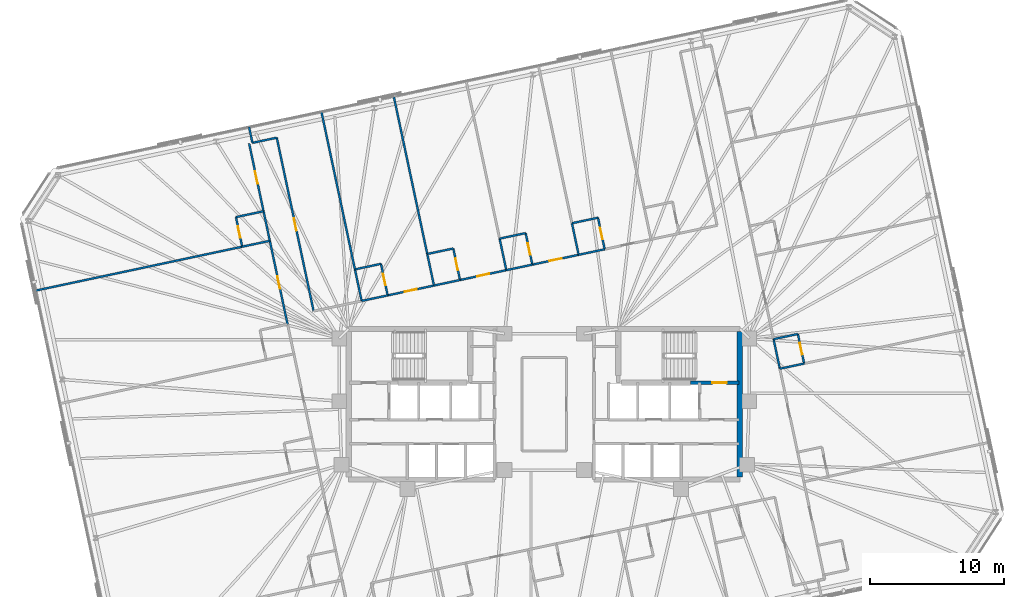
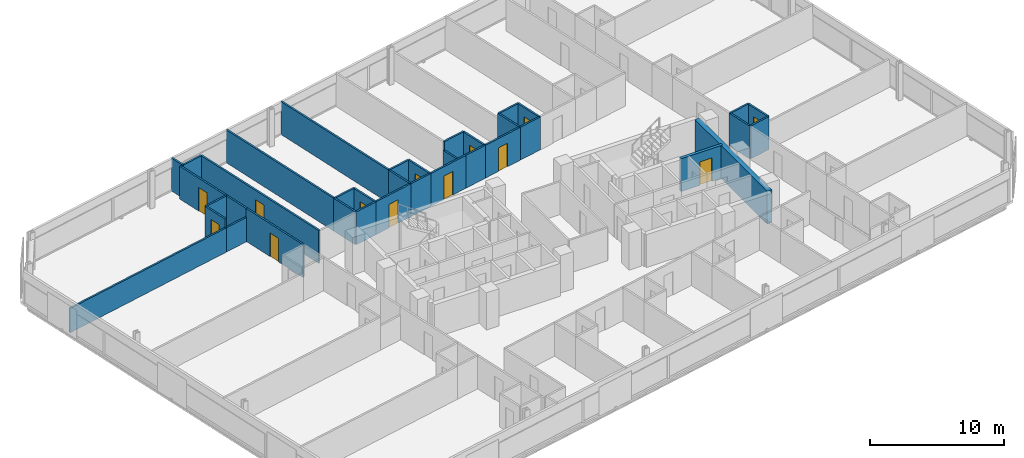
# One storey, part 17 of 20: 37 walls, 13 doors, 13 openings.
"""IFC4 building model written with IfcOpenShell, lengths in metres."""

from ifc_helpers import new_model, si_unit, direction, frame, frame_2d, origin, place, context, subcontext, project, spatial, rectangle, extrude, material, layer, layer_set, type_object, element, fill, save


model = new_model("IFC4")

# Units and contexts
model_context = context("Model", 3, precision=1e-05, world=origin(), true_north=direction((0.0, 1.0)))
body_context = subcontext(model_context, "Body", "Model", "MODEL_VIEW")
ifc_project = project(units=[si_unit("LENGTHUNIT", "METRE"), si_unit("AREAUNIT", "SQUARE_METRE"), si_unit("VOLUMEUNIT", "CUBIC_METRE"), si_unit("PLANEANGLEUNIT", "RADIAN"), si_unit("MASSUNIT", "GRAM", prefix="KILO")], contexts=[model_context])

# Site, building, storey
site_placement = place(None, origin())
site = spatial("IfcSite", under=ifc_project, at=site_placement, CompositionType="ELEMENT")
building_placement = place(site_placement, origin())
building = spatial("IfcBuilding", under=site, at=building_placement, Name="Menara Jurai Vektor", CompositionType="ELEMENT")
storey_placement = place(building_placement, frame((0.0, 0.0, 199.0)))
storey = spatial("IfcBuildingStorey", under=building, at=storey_placement, Name="L52", CompositionType="ELEMENT", Elevation=199.0)

# Wall, opening, door
ifc_material_1 = material(Name="Concrete C40/50", Category="concrete")
ifc_layer_1 = layer(ifc_material_1, 0.25)
ifc_layer_set_1 = layer_set([ifc_layer_1], Name="Concrete C40/50")
wall_type_1 = type_object("IfcWallType", Name="INT-WALL-CORE-250", PredefinedType="STANDARD", material=ifc_layer_set_1)
wall_1_placement = place(storey_placement, frame((10.89990234375, 1.60009765625, 0.0), z_axis=(0.0, 0.0, 1.0), x_axis=(1.0, 0.0, 0.0)))
wall_1 = element("IfcWall", 1, at=wall_1_placement, inside=storey, type_object=wall_type_1, Name="Interior Wall IW-250 L52", PredefinedType="STANDARD", context=body_context, shape_type="SweptSolid", body=[
    extrude(rectangle(XDim=3.60009765625, YDim=0.25, at=frame_2d((1.800048828125, 0.0))), origin(), (0.0, 0.0, 1.0), 3.0),
])
opening_1_placement = place(wall_1_placement, frame((1.6201171875, 0.0, 0.0)))
opening_1 = element("IfcOpeningElement", 2, at=opening_1_placement, cuts=wall_1, Name="Opening D-L52-ST2", PredefinedType="OPENING", context=body_context, shape_type="SweptSolid", body=[
    extrude(rectangle(XDim=1.050048828125, YDim=2.14990234375, at=frame_2d((0.52490234375, 1.074951171875))), frame((0.0, 0.135009765625, 0.0), z_axis=(0.0, -1.0, 0.0), x_axis=(1.0, 0.0, 0.0)), (0.0, 0.0, 1.0), 0.27001953125),
])
ifc_material_2 = material(Name="Fire-Rated Steel Door", Category="steel")
door_type_1 = type_object("IfcDoorType", Name="DR-STAIR-1050", OperationType="NOTDEFINED", PredefinedType="DOOR", material=ifc_material_2)
door_1_placement = place(opening_1_placement, origin())
door_1 = element("IfcDoor", 3, at=door_1_placement, inside=storey, type_object=door_type_1, Name="Exit Stair ST2 Door L52", OperationType="SINGLE_SWING_LEFT", OverallHeight=2.14990234375, OverallWidth=1.050048828125, PredefinedType="DOOR", context=body_context, shape_type="SweptSolid", body=[
    extrude(rectangle(XDim=1.050048828125, YDim=2.14990234375, at=frame_2d((0.52490234375, 1.074951171875))), frame((0.0, 0.02490234375, 0.0), z_axis=(0.0, -1.0, 0.0), x_axis=(1.0, 0.0, 0.0)), (0.0, 0.0, 1.0), 0.050048828125),
])
fill(opening_1, door_1)

# Wall
ifc_material_3 = material(Name="Gypsum Fireboard Partition", Category="gypsum")
ifc_layer_2 = layer(ifc_material_3, 0.14990234375)
ifc_layer_set_2 = layer_set([ifc_layer_2], Name="Gypsum Fireboard Partition")
wall_type_2 = type_object("IfcWallType", Name="INT-WALL-CORR-150", PredefinedType="PARTITIONING", material=ifc_layer_set_2)
wall_2_placement = place(storey_placement, frame((-21.71533203125, 19.447998046875, 0.0), z_axis=(0.0, 0.0, 1.0), x_axis=(0.978160192495, 0.207852442415, 0.0)))
element("IfcWall", 4, at=wall_2_placement, inside=storey, type_object=wall_type_2, Name="Interior Wall IW-150 L52", PredefinedType="PARTITIONING", context=body_context, shape_type="SweptSolid", body=[
    extrude(rectangle(XDim=1.849853515625, YDim=0.14990234375, at=frame_2d((0.9248046875, 0.0))), origin(), (0.0, 0.0, 1.0), 3.0),
])

# Wall, opening, door
wall_3_placement = place(storey_placement, frame((-17.162353515625, 6.92578125, 0.0), z_axis=(0.0, 0.0, 1.0), x_axis=(-0.207911421929, 0.978147657888, 0.0)))
wall_3 = element("IfcWall", 5, at=wall_3_placement, inside=storey, type_object=wall_type_2, Name="Interior Wall IW-150 L52", PredefinedType="PARTITIONING", context=body_context, shape_type="SweptSolid", body=[
    extrude(rectangle(XDim=13.195068359375, YDim=0.14990234375, at=frame_2d((6.59765625, 0.0))), origin(), (0.0, 0.0, 1.0), 3.0),
])
opening_2_placement = place(wall_3_placement, frame((6.137451171875, 0.0, 0.0)))
opening_2 = element("IfcOpeningElement", 6, at=opening_2_placement, cuts=wall_3, Name="Opening D52-07", PredefinedType="OPENING", context=body_context, shape_type="SweptSolid", body=[
    extrude(rectangle(XDim=0.919921875, YDim=2.14990234375, at=frame_2d((0.4599609375, 1.074951171875))), frame((0.0, 0.0849609375, 0.0), z_axis=(0.0, -1.0, 0.0), x_axis=(1.0, 0.0, 0.0)), (0.0, 0.0, 1.0), 0.169921875),
])
ifc_material_4 = material(Name="Solid Core Timber Fire Door", Category="wood")
door_type_2 = type_object("IfcDoorType", Name="DR-ENTRY-950", OperationType="NOTDEFINED", PredefinedType="DOOR", material=ifc_material_4)
door_2_placement = place(opening_2_placement, origin())
door_2 = element("IfcDoor", 7, at=door_2_placement, inside=storey, type_object=door_type_2, Name="Interior Door D52-07", OperationType="SINGLE_SWING_RIGHT", OverallHeight=2.14990234375, OverallWidth=0.919921875, PredefinedType="DOOR", context=body_context, shape_type="SweptSolid", body=[
    extrude(rectangle(XDim=0.919921875, YDim=2.14990234375, at=frame_2d((0.4599609375, 1.074951171875))), frame((0.0, 0.02490234375, 0.0), z_axis=(0.0, -1.0, 0.0), x_axis=(1.0, 0.0, 0.0)), (0.0, 0.0, 1.0), 0.050048828125),
])
fill(opening_2, door_2)

wall_4_placement = place(storey_placement, frame((-11.651611328125, 8.097412109375, 0.0), z_axis=(0.0, 0.0, 1.0), x_axis=(0.978153036861, 0.207886114205, 0.0)))
wall_4 = element("IfcWall", 8, at=wall_4_placement, inside=storey, type_object=wall_type_2, Name="Interior Wall IW-150 L52", PredefinedType="PARTITIONING", context=body_context, shape_type="SweptSolid", body=[
    extrude(rectangle(XDim=3.52197265625, YDim=0.14990234375, at=frame_2d((1.760986328125, 0.0))), origin(), (0.0, 0.0, 1.0), 3.0),
])
opening_3_placement = place(wall_4_placement, frame((1.301025390625, 0.0, 0.0)))
opening_3 = element("IfcOpeningElement", 9, at=opening_3_placement, cuts=wall_4, Name="Opening D52-08", PredefinedType="OPENING", context=body_context, shape_type="SweptSolid", body=[
    extrude(rectangle(XDim=0.919921875, YDim=2.14990234375, at=frame_2d((0.4599609375, 1.074951171875))), frame((0.0, 0.0849609375, 0.0), z_axis=(0.0, -1.0, 0.0), x_axis=(1.0, 0.0, 0.0)), (0.0, 0.0, 1.0), 0.169921875),
])
door_3_placement = place(opening_3_placement, origin())
door_3 = element("IfcDoor", 10, at=door_3_placement, inside=storey, type_object=door_type_2, Name="Interior Door D52-08", OperationType="SINGLE_SWING_LEFT", OverallHeight=2.14990234375, OverallWidth=0.919921875, PredefinedType="DOOR", context=body_context, shape_type="SweptSolid", body=[
    extrude(rectangle(XDim=0.919921875, YDim=2.14990234375, at=frame_2d((0.4599609375, 1.074951171875))), frame((0.0, 0.02490234375, 0.0), z_axis=(0.0, -1.0, 0.0), x_axis=(1.0, 0.0, 0.0)), (0.0, 0.0, 1.0), 0.050048828125),
])
fill(opening_3, door_3)

# Wall
wall_5_placement = place(storey_placement, frame((-13.589111328125, 7.685302734375, 0.0), z_axis=(0.0, 0.0, 1.0), x_axis=(0.97811873796, 0.208047433175, 0.0)))
element("IfcWall", 11, at=wall_5_placement, inside=storey, type_object=wall_type_2, Name="Interior Wall IW-150 L52", PredefinedType="PARTITIONING", context=body_context, shape_type="SweptSolid", body=[
    extrude(rectangle(XDim=1.98095703125, YDim=0.14990234375, at=frame_2d((0.990478515625, 0.0))), origin(), (0.0, 0.0, 1.0), 3.0),
])

# Wall, opening, door
wall_6_placement = place(storey_placement, frame((-6.268798828125, 9.241455078125, 0.0), z_axis=(0.0, 0.0, 1.0), x_axis=(0.978150924733, 0.207896052016, 0.0)))
wall_6 = element("IfcWall", 12, at=wall_6_placement, inside=storey, type_object=wall_type_2, Name="Interior Wall IW-150 L52", PredefinedType="PARTITIONING", context=body_context, shape_type="SweptSolid", body=[
    extrude(rectangle(XDim=3.52294921875, YDim=0.14990234375, at=frame_2d((1.761474609375, 0.0))), origin(), (0.0, 0.0, 1.0), 3.0),
])
opening_4_placement = place(wall_6_placement, frame((1.301513671875, 0.0, 0.0)))
opening_4 = element("IfcOpeningElement", 13, at=opening_4_placement, cuts=wall_6, Name="Opening D52-10", PredefinedType="OPENING", context=body_context, shape_type="SweptSolid", body=[
    extrude(rectangle(XDim=0.919921875, YDim=2.14990234375, at=frame_2d((0.4599609375, 1.074951171875))), frame((0.0, 0.0849609375, 0.0), z_axis=(0.0, -1.0, 0.0), x_axis=(1.0, 0.0, 0.0)), (0.0, 0.0, 1.0), 0.169921875),
])
door_4_placement = place(opening_4_placement, origin())
door_4 = element("IfcDoor", 14, at=door_4_placement, inside=storey, type_object=door_type_2, Name="Interior Door D52-10", OperationType="SINGLE_SWING_LEFT", OverallHeight=2.14990234375, OverallWidth=0.919921875, PredefinedType="DOOR", context=body_context, shape_type="SweptSolid", body=[
    extrude(rectangle(XDim=0.919921875, YDim=2.14990234375, at=frame_2d((0.4599609375, 1.074951171875))), frame((0.0, 0.02490234375, 0.0), z_axis=(0.0, -1.0, 0.0), x_axis=(1.0, 0.0, 0.0)), (0.0, 0.0, 1.0), 0.050048828125),
])
fill(opening_4, door_4)

# Wall
wall_7_placement = place(storey_placement, frame((-8.20654296875, 8.82958984375, 0.0), z_axis=(0.0, 0.0, 1.0), x_axis=(0.978149140323, 0.20790444749, 0.0)))
element("IfcWall", 15, at=wall_7_placement, inside=storey, type_object=wall_type_2, Name="Interior Wall IW-150 L52", PredefinedType="PARTITIONING", context=body_context, shape_type="SweptSolid", body=[
    extrude(rectangle(XDim=1.98095703125, YDim=0.14990234375, at=frame_2d((0.990478515625, 0.0))), origin(), (0.0, 0.0, 1.0), 3.0),
])

# Wall, opening, door
wall_8_placement = place(storey_placement, frame((-0.885009765625, 10.3857421875, 0.0), z_axis=(0.0, 0.0, 1.0), x_axis=(0.978153036861, 0.207886114205, 0.0)))
wall_8 = element("IfcWall", 16, at=wall_8_placement, inside=storey, type_object=wall_type_2, Name="Interior Wall IW-150 L52", PredefinedType="PARTITIONING", context=body_context, shape_type="SweptSolid", body=[
    extrude(rectangle(XDim=3.52197265625, YDim=0.14990234375, at=frame_2d((1.760986328125, 0.0))), origin(), (0.0, 0.0, 1.0), 3.0),
])
opening_5_placement = place(wall_8_placement, frame((1.301025390625, 0.0, 0.0)))
opening_5 = element("IfcOpeningElement", 17, at=opening_5_placement, cuts=wall_8, Name="Opening D52-12", PredefinedType="OPENING", context=body_context, shape_type="SweptSolid", body=[
    extrude(rectangle(XDim=0.919921875, YDim=2.14990234375, at=frame_2d((0.4599609375, 1.074951171875))), frame((0.0, 0.0849609375, 0.0), z_axis=(0.0, -1.0, 0.0), x_axis=(1.0, 0.0, 0.0)), (0.0, 0.0, 1.0), 0.169921875),
])
door_5_placement = place(opening_5_placement, origin())
door_5 = element("IfcDoor", 18, at=door_5_placement, inside=storey, type_object=door_type_2, Name="Interior Door D52-12", OperationType="SINGLE_SWING_LEFT", OverallHeight=2.14990234375, OverallWidth=0.919921875, PredefinedType="DOOR", context=body_context, shape_type="SweptSolid", body=[
    extrude(rectangle(XDim=0.919921875, YDim=2.14990234375, at=frame_2d((0.4599609375, 1.074951171875))), frame((0.0, 0.02490234375, 0.0), z_axis=(0.0, -1.0, 0.0), x_axis=(1.0, 0.0, 0.0)), (0.0, 0.0, 1.0), 0.050048828125),
])
fill(opening_5, door_5)

# Walls
for number, where, z_axis, x_axis, name in (
    (19, (-2.82275390625, 9.973876953125, 0.0), (0.0, 0.0, 1.0), (0.978149140323, 0.20790444749, 0.0), "Interior Wall IW-150 L52"),
    (20, (2.56005859375, 11.117919921875, 0.0), (0.0, 0.0, 1.0), (0.978149140323, 0.20790444749, 0.0), "Interior Wall IW-150 L52"),
):
    element("IfcWall", number, at=place(storey_placement, frame(where, z_axis=z_axis, x_axis=x_axis)), inside=storey, type_object=wall_type_2, Name=name, PredefinedType="PARTITIONING", context=body_context, shape_type="SweptSolid", body=[
        extrude(rectangle(XDim=1.98095703125, YDim=0.14990234375, at=frame_2d((0.990478515625, 0.0))), origin(), (0.0, 0.0, 1.0), 3.0),
    ])

# Wall, opening, door
wall_9_placement = place(storey_placement, frame((-19.10107421875, 5.9462890625, 0.0), z_axis=(0.0, 0.0, 1.0), x_axis=(-0.207916691923, 0.978146537703, 0.0)))
wall_9 = element("IfcWall", 21, at=wall_9_placement, inside=storey, type_object=wall_type_2, Name="Interior Wall IW-150 L52", PredefinedType="PARTITIONING", context=body_context, shape_type="SweptSolid", body=[
    extrude(rectangle(XDim=6.35009765625, YDim=0.14990234375, at=frame_2d((3.175048828125, 0.0))), origin(), (0.0, 0.0, 1.0), 3.0),
])
opening_6_placement = place(wall_9_placement, frame((2.699951171875, 0.0, 0.0)))
opening_6 = element("IfcOpeningElement", 22, at=opening_6_placement, cuts=wall_9, Name="Opening D52-33", PredefinedType="OPENING", context=body_context, shape_type="SweptSolid", body=[
    extrude(rectangle(XDim=0.949951171875, YDim=2.14990234375, at=frame_2d((0.47509765625, 1.074951171875))), frame((0.0, 0.0849609375, 0.0), z_axis=(0.0, -1.0, 0.0), x_axis=(1.0, 0.0, 0.0)), (0.0, 0.0, 1.0), 0.169921875),
])
door_6_placement = place(opening_6_placement, origin())
door_6 = element("IfcDoor", 23, at=door_6_placement, inside=storey, type_object=door_type_2, Name="Interior Door D52-33", OperationType="SINGLE_SWING_RIGHT", OverallHeight=2.14990234375, OverallWidth=0.949951171875, PredefinedType="DOOR", context=body_context, shape_type="SweptSolid", body=[
    extrude(rectangle(XDim=0.949951171875, YDim=2.14990234375, at=frame_2d((0.47509765625, 1.074951171875))), frame((0.0, 0.02490234375, 0.0), z_axis=(0.0, -1.0, 0.0), x_axis=(1.0, 0.0, 0.0)), (0.0, 0.0, 1.0), 0.050048828125),
])
fill(opening_6, door_6)

wall_10_placement = place(storey_placement, frame((-20.88916015625, 14.3583984375, 0.0), z_axis=(0.0, 0.0, 1.0), x_axis=(-0.207916584961, 0.978146560439, 0.0)))
wall_10 = element("IfcWall", 24, at=wall_10_placement, inside=storey, type_object=wall_type_2, Name="Interior Wall IW-150 L52", PredefinedType="PARTITIONING", context=body_context, shape_type="SweptSolid", body=[
    extrude(rectangle(XDim=5.150146484375, YDim=0.14990234375, at=frame_2d((2.5751953125, 0.0))), origin(), (0.0, 0.0, 1.0), 3.0),
])
opening_7_placement = place(wall_10_placement, frame((2.10009765625, 0.0, 0.0)))
opening_7 = element("IfcOpeningElement", 25, at=opening_7_placement, cuts=wall_10, Name="Opening D52-35", PredefinedType="OPENING", context=body_context, shape_type="SweptSolid", body=[
    extrude(rectangle(XDim=0.949951171875, YDim=2.14990234375, at=frame_2d((0.47509765625, 1.074951171875))), frame((0.0, 0.0849609375, 0.0), z_axis=(0.0, -1.0, 0.0), x_axis=(1.0, 0.0, 0.0)), (0.0, 0.0, 1.0), 0.169921875),
])
door_7_placement = place(opening_7_placement, origin())
door_7 = element("IfcDoor", 26, at=door_7_placement, inside=storey, type_object=door_type_2, Name="Interior Door D52-35", OperationType="SINGLE_SWING_RIGHT", OverallHeight=2.14990234375, OverallWidth=0.949951171875, PredefinedType="DOOR", context=body_context, shape_type="SweptSolid", body=[
    extrude(rectangle(XDim=0.949951171875, YDim=2.14990234375, at=frame_2d((0.47509765625, 1.074951171875))), frame((0.0, 0.02490234375, 0.0), z_axis=(0.0, -1.0, 0.0), x_axis=(1.0, 0.0, 0.0)), (0.0, 0.0, 1.0), 0.050048828125),
])
fill(opening_7, door_7)

# Walls
for number, where, z_axis, x_axis, name in (
    (27, (-20.42138671875, 12.15771484375, 0.0), (0.0, 0.0, 1.0), (-0.207913264065, 0.978147266328, 0.0), "Interior Wall IW-150 L52"),
    (28, (17.53173828125, 2.640625, 0.0), (0.0, 0.0, 1.0), (-0.207913264065, 0.978147266328, 0.0), "Interior Wall IW-150 L52"),
):
    element("IfcWall", number, at=place(storey_placement, frame(where, z_axis=z_axis, x_axis=x_axis)), inside=storey, type_object=wall_type_2, Name=name, PredefinedType="PARTITIONING", context=body_context, shape_type="SweptSolid", body=[
        extrude(rectangle(XDim=2.249755859375, YDim=0.14990234375, at=frame_2d((1.125, 0.0))), origin(), (0.0, 0.0, 1.0), 3.0),
    ])
wall_11_placement = place(storey_placement, frame((-14.088134765625, 10.032958984375, 0.0), z_axis=(0.0, 0.0, 1.0), x_axis=(-0.207910848762, 0.978147779718, 0.0)))
element("IfcWall", 29, at=wall_11_placement, inside=storey, type_object=wall_type_2, Name="Interior Wall IW-150 L52", PredefinedType="PARTITIONING", context=body_context, shape_type="SweptSolid", body=[
    extrude(rectangle(XDim=11.9951171875, YDim=0.14990234375, at=frame_2d((5.99755859375, 0.0))), origin(), (0.0, 0.0, 1.0), 3.0),
])
wall_12_placement = place(storey_placement, frame((-13.589111328125, 7.685302734375, 0.0), z_axis=(0.0, 0.0, 1.0), x_axis=(-0.207917150959, 0.978146440129, 0.0)))
element("IfcWall", 30, at=wall_12_placement, inside=storey, type_object=wall_type_2, Name="Interior Wall IW-150 L52", PredefinedType="PARTITIONING", context=body_context, shape_type="SweptSolid", body=[
    extrude(rectangle(XDim=2.400146484375, YDim=0.14990234375, at=frame_2d((1.2001953125, 0.0))), origin(), (0.0, 0.0, 1.0), 3.0),
])
wall_13_placement = place(storey_placement, frame((-21.71533203125, 19.447998046875, 0.0), z_axis=(0.0, 0.0, 1.0), x_axis=(-0.20795853359, 0.978137642823, 0.0)))
element("IfcWall", 31, at=wall_13_placement, inside=storey, type_object=wall_type_2, Name="Interior Wall IW-150 L52", PredefinedType="PARTITIONING", context=body_context, shape_type="SweptSolid", body=[
    extrude(rectangle(XDim=1.19970703125, YDim=0.14990234375, at=frame_2d((0.599853515625, 0.0))), origin(), (0.0, 0.0, 1.0), 3.0),
])
wall_14_placement = place(storey_placement, frame((-14.088134765625, 10.032958984375, 0.0), z_axis=(0.0, 0.0, 1.0), x_axis=(0.978149140323, 0.20790444749, 0.0)))
element("IfcWall", 32, at=wall_14_placement, inside=storey, type_object=wall_type_2, Name="Interior Wall IW-150 L52", PredefinedType="PARTITIONING", context=body_context, shape_type="SweptSolid", body=[
    extrude(rectangle(XDim=1.98095703125, YDim=0.14990234375, at=frame_2d((0.990478515625, 0.0))), origin(), (0.0, 0.0, 1.0), 3.0),
])

# Wall, opening, door
wall_15_placement = place(storey_placement, frame((-11.651611328125, 8.097412109375, 0.0), z_axis=(0.0, 0.0, 1.0), x_axis=(-0.207840504985, 0.978162729042, 0.0)))
wall_15 = element("IfcWall", 33, at=wall_15_placement, inside=storey, type_object=wall_type_2, Name="Interior Wall IW-150 L52", PredefinedType="PARTITIONING", context=body_context, shape_type="SweptSolid", body=[
    extrude(rectangle(XDim=2.39990234375, YDim=0.14990234375, at=frame_2d((1.199951171875, 0.0))), origin(), (0.0, 0.0, 1.0), 3.0),
])
opening_8_placement = place(wall_15_placement, frame((0.760009765625, 0.0, 0.0)))
opening_8 = element("IfcOpeningElement", 34, at=opening_8_placement, cuts=wall_15, Name="Opening D52-09", PredefinedType="OPENING", context=body_context, shape_type="SweptSolid", body=[
    extrude(rectangle(XDim=0.8798828125, YDim=2.14990234375, at=frame_2d((0.43994140625, 1.074951171875))), frame((0.0, 0.0849609375, 0.0), z_axis=(0.0, -1.0, 0.0), x_axis=(1.0, 0.0, 0.0)), (0.0, 0.0, 1.0), 0.169921875),
])
ifc_material_5 = material(Name="Moisture-Resistant Timber Door", Category="wood")
door_type_3 = type_object("IfcDoorType", Name="DR-BATH-880", OperationType="NOTDEFINED", PredefinedType="DOOR", material=ifc_material_5)
door_8_placement = place(opening_8_placement, origin())
door_8 = element("IfcDoor", 35, at=door_8_placement, inside=storey, type_object=door_type_3, Name="Interior Door D52-09", OperationType="SINGLE_SWING_RIGHT", OverallHeight=2.14990234375, OverallWidth=0.8798828125, PredefinedType="DOOR", context=body_context, shape_type="SweptSolid", body=[
    extrude(rectangle(XDim=0.8798828125, YDim=2.14990234375, at=frame_2d((0.43994140625, 1.074951171875))), frame((0.0, 0.02490234375, 0.0), z_axis=(0.0, -1.0, 0.0), x_axis=(1.0, 0.0, 0.0)), (0.0, 0.0, 1.0), 0.050048828125),
])
fill(opening_8, door_8)

# Walls
wall_16_placement = place(storey_placement, frame((-8.70556640625, 11.177001953125, 0.0), z_axis=(0.0, 0.0, 1.0), x_axis=(-0.207910848762, 0.978147779718, 0.0)))
element("IfcWall", 36, at=wall_16_placement, inside=storey, type_object=wall_type_2, Name="Interior Wall IW-150 L52", PredefinedType="PARTITIONING", context=body_context, shape_type="SweptSolid", body=[
    extrude(rectangle(XDim=11.9951171875, YDim=0.14990234375, at=frame_2d((5.99755859375, 0.0))), origin(), (0.0, 0.0, 1.0), 3.0),
])
wall_17_placement = place(storey_placement, frame((-8.20654296875, 8.82958984375, 0.0), z_axis=(0.0, 0.0, 1.0), x_axis=(-0.207937840262, 0.978142042133, 0.0)))
element("IfcWall", 37, at=wall_17_placement, inside=storey, type_object=wall_type_2, Name="Interior Wall IW-150 L52", PredefinedType="PARTITIONING", context=body_context, shape_type="SweptSolid", body=[
    extrude(rectangle(XDim=2.39990234375, YDim=0.14990234375, at=frame_2d((1.199951171875, 0.0))), origin(), (0.0, 0.0, 1.0), 3.0),
])
wall_18_placement = place(storey_placement, frame((-8.70556640625, 11.177001953125, 0.0), z_axis=(0.0, 0.0, 1.0), x_axis=(0.978149140323, 0.20790444749, 0.0)))
element("IfcWall", 38, at=wall_18_placement, inside=storey, type_object=wall_type_2, Name="Interior Wall IW-150 L52", PredefinedType="PARTITIONING", context=body_context, shape_type="SweptSolid", body=[
    extrude(rectangle(XDim=1.98095703125, YDim=0.14990234375, at=frame_2d((0.990478515625, 0.0))), origin(), (0.0, 0.0, 1.0), 3.0),
])

# Wall, opening, door
wall_19_placement = place(storey_placement, frame((-6.268798828125, 9.241455078125, 0.0), z_axis=(0.0, 0.0, 1.0), x_axis=(-0.207937840262, 0.978142042133, 0.0)))
wall_19 = element("IfcWall", 39, at=wall_19_placement, inside=storey, type_object=wall_type_2, Name="Interior Wall IW-150 L52", PredefinedType="PARTITIONING", context=body_context, shape_type="SweptSolid", body=[
    extrude(rectangle(XDim=2.39990234375, YDim=0.14990234375, at=frame_2d((1.199951171875, 0.0))), origin(), (0.0, 0.0, 1.0), 3.0),
])
opening_9_placement = place(wall_19_placement, frame((0.760009765625, 0.0, 0.0)))
opening_9 = element("IfcOpeningElement", 40, at=opening_9_placement, cuts=wall_19, Name="Opening D52-11", PredefinedType="OPENING", context=body_context, shape_type="SweptSolid", body=[
    extrude(rectangle(XDim=0.8798828125, YDim=2.14990234375, at=frame_2d((0.43994140625, 1.074951171875))), frame((0.0, 0.0849609375, 0.0), z_axis=(0.0, -1.0, 0.0), x_axis=(1.0, 0.0, 0.0)), (0.0, 0.0, 1.0), 0.169921875),
])
door_9_placement = place(opening_9_placement, origin())
door_9 = element("IfcDoor", 41, at=door_9_placement, inside=storey, type_object=door_type_3, Name="Interior Door D52-11", OperationType="SINGLE_SWING_RIGHT", OverallHeight=2.14990234375, OverallWidth=0.8798828125, PredefinedType="DOOR", context=body_context, shape_type="SweptSolid", body=[
    extrude(rectangle(XDim=0.8798828125, YDim=2.14990234375, at=frame_2d((0.43994140625, 1.074951171875))), frame((0.0, 0.02490234375, 0.0), z_axis=(0.0, -1.0, 0.0), x_axis=(1.0, 0.0, 0.0)), (0.0, 0.0, 1.0), 0.050048828125),
])
fill(opening_9, door_9)

# Wall
wall_20_placement = place(storey_placement, frame((-3.32177734375, 12.3212890625, 0.0), z_axis=(0.0, 0.0, 1.0), x_axis=(0.978124071753, 0.208022355187, 0.0)))
element("IfcWall", 42, at=wall_20_placement, inside=storey, type_object=wall_type_2, Name="Interior Wall IW-150 L52", PredefinedType="PARTITIONING", context=body_context, shape_type="SweptSolid", body=[
    extrude(rectangle(XDim=1.981201171875, YDim=0.14990234375, at=frame_2d((0.99072265625, 0.0))), origin(), (0.0, 0.0, 1.0), 3.0),
])

# Wall, opening, door
wall_21_placement = place(storey_placement, frame((-0.885009765625, 10.3857421875, 0.0), z_axis=(0.0, 0.0, 1.0), x_axis=(-0.207917150959, 0.978146440129, 0.0)))
wall_21 = element("IfcWall", 43, at=wall_21_placement, inside=storey, type_object=wall_type_2, Name="Interior Wall IW-150 L52", PredefinedType="PARTITIONING", context=body_context, shape_type="SweptSolid", body=[
    extrude(rectangle(XDim=2.400146484375, YDim=0.14990234375, at=frame_2d((1.2001953125, 0.0))), origin(), (0.0, 0.0, 1.0), 3.0),
])
opening_10_placement = place(wall_21_placement, frame((0.760009765625, 0.0, 0.0)))
opening_10 = element("IfcOpeningElement", 44, at=opening_10_placement, cuts=wall_21, Name="Opening D52-13", PredefinedType="OPENING", context=body_context, shape_type="SweptSolid", body=[
    extrude(rectangle(XDim=0.8798828125, YDim=2.14990234375, at=frame_2d((0.43994140625, 1.074951171875))), frame((0.0, 0.0849609375, 0.0), z_axis=(0.0, -1.0, 0.0), x_axis=(1.0, 0.0, 0.0)), (0.0, 0.0, 1.0), 0.169921875),
])
door_10_placement = place(opening_10_placement, origin())
door_10 = element("IfcDoor", 45, at=door_10_placement, inside=storey, type_object=door_type_3, Name="Interior Door D52-13", OperationType="SINGLE_SWING_RIGHT", OverallHeight=2.14990234375, OverallWidth=0.8798828125, PredefinedType="DOOR", context=body_context, shape_type="SweptSolid", body=[
    extrude(rectangle(XDim=0.8798828125, YDim=2.14990234375, at=frame_2d((0.43994140625, 1.074951171875))), frame((0.0, 0.02490234375, 0.0), z_axis=(0.0, -1.0, 0.0), x_axis=(1.0, 0.0, 0.0)), (0.0, 0.0, 1.0), 0.050048828125),
])
fill(opening_10, door_10)

# Walls
wall_22_placement = place(storey_placement, frame((2.56005859375, 11.117919921875, 0.0), z_axis=(0.0, 0.0, 1.0), x_axis=(-0.207917150959, 0.978146440129, 0.0)))
element("IfcWall", 46, at=wall_22_placement, inside=storey, type_object=wall_type_2, Name="Interior Wall IW-150 L52", PredefinedType="PARTITIONING", context=body_context, shape_type="SweptSolid", body=[
    extrude(rectangle(XDim=2.400146484375, YDim=0.14990234375, at=frame_2d((1.2001953125, 0.0))), origin(), (0.0, 0.0, 1.0), 3.0),
])
wall_23_placement = place(storey_placement, frame((2.06103515625, 13.465576171875, 0.0), z_axis=(0.0, 0.0, 1.0), x_axis=(0.978149140323, 0.20790444749, 0.0)))
element("IfcWall", 47, at=wall_23_placement, inside=storey, type_object=wall_type_2, Name="Interior Wall IW-150 L52", PredefinedType="PARTITIONING", context=body_context, shape_type="SweptSolid", body=[
    extrude(rectangle(XDim=1.98095703125, YDim=0.14990234375, at=frame_2d((0.990478515625, 0.0))), origin(), (0.0, 0.0, 1.0), 3.0),
])

# Wall, opening, door
wall_24_placement = place(storey_placement, frame((4.497802734375, 11.52978515625, 0.0), z_axis=(0.0, 0.0, 1.0), x_axis=(-0.207917150959, 0.978146440129, 0.0)))
wall_24 = element("IfcWall", 48, at=wall_24_placement, inside=storey, type_object=wall_type_2, Name="Interior Wall IW-150 L52", PredefinedType="PARTITIONING", context=body_context, shape_type="SweptSolid", body=[
    extrude(rectangle(XDim=2.400146484375, YDim=0.14990234375, at=frame_2d((1.2001953125, 0.0))), origin(), (0.0, 0.0, 1.0), 3.0),
])
opening_11_placement = place(wall_24_placement, frame((0.760009765625, 0.0, 0.0)))
opening_11 = element("IfcOpeningElement", 49, at=opening_11_placement, cuts=wall_24, Name="Opening D52-15", PredefinedType="OPENING", context=body_context, shape_type="SweptSolid", body=[
    extrude(rectangle(XDim=0.8798828125, YDim=2.14990234375, at=frame_2d((0.43994140625, 1.074951171875))), frame((0.0, 0.0849609375, 0.0), z_axis=(0.0, -1.0, 0.0), x_axis=(1.0, 0.0, 0.0)), (0.0, 0.0, 1.0), 0.169921875),
])
door_11_placement = place(opening_11_placement, origin())
door_11 = element("IfcDoor", 50, at=door_11_placement, inside=storey, type_object=door_type_3, Name="Interior Door D52-15", OperationType="SINGLE_SWING_RIGHT", OverallHeight=2.14990234375, OverallWidth=0.8798828125, PredefinedType="DOOR", context=body_context, shape_type="SweptSolid", body=[
    extrude(rectangle(XDim=0.8798828125, YDim=2.14990234375, at=frame_2d((0.43994140625, 1.074951171875))), frame((0.0, 0.02490234375, 0.0), z_axis=(0.0, -1.0, 0.0), x_axis=(1.0, 0.0, 0.0)), (0.0, 0.0, 1.0), 0.050048828125),
])
fill(opening_11, door_11)

wall_25_placement = place(storey_placement, frame((-22.4755859375, 11.720947265625, 0.0), z_axis=(0.0, 0.0, 1.0), x_axis=(-0.207891197838, 0.978151956427, 0.0)))
wall_25 = element("IfcWall", 51, at=wall_25_placement, inside=storey, type_object=wall_type_2, Name="Interior Wall IW-150 L52", PredefinedType="PARTITIONING", context=body_context, shape_type="SweptSolid", body=[
    extrude(rectangle(XDim=2.25, YDim=0.14990234375, at=frame_2d((1.125, 0.0))), origin(), (0.0, 0.0, 1.0), 3.0),
])
opening_12_placement = place(wall_25_placement, frame((0.68505859375, 0.0, 0.0)))
opening_12 = element("IfcOpeningElement", 52, at=opening_12_placement, cuts=wall_25, Name="Opening D52-36", PredefinedType="OPENING", context=body_context, shape_type="SweptSolid", body=[
    extrude(rectangle(XDim=0.8798828125, YDim=2.14990234375, at=frame_2d((0.43994140625, 1.074951171875))), frame((0.0, 0.0849609375, 0.0), z_axis=(0.0, -1.0, 0.0), x_axis=(1.0, 0.0, 0.0)), (0.0, 0.0, 1.0), 0.169921875),
])
door_12_placement = place(opening_12_placement, origin())
door_12 = element("IfcDoor", 53, at=door_12_placement, inside=storey, type_object=door_type_3, Name="Interior Door D52-36", OperationType="SINGLE_SWING_LEFT", OverallHeight=2.14990234375, OverallWidth=0.8798828125, PredefinedType="DOOR", context=body_context, shape_type="SweptSolid", body=[
    extrude(rectangle(XDim=0.8798828125, YDim=2.14990234375, at=frame_2d((0.43994140625, 1.074951171875))), frame((0.0, 0.02490234375, 0.0), z_axis=(0.0, -1.0, 0.0), x_axis=(1.0, 0.0, 0.0)), (0.0, 0.0, 1.0), 0.050048828125),
])
fill(opening_12, door_12)

# Walls
wall_26_placement = place(storey_placement, frame((-22.943359375, 13.921875, 0.0), z_axis=(0.0, 0.0, 1.0), x_axis=(0.97815826, 0.207861536591, 0.0)))
element("IfcWall", 54, at=wall_26_placement, inside=storey, type_object=wall_type_2, Name="Interior Wall IW-150 L52", PredefinedType="PARTITIONING", context=body_context, shape_type="SweptSolid", body=[
    extrude(rectangle(XDim=2.10009765625, YDim=0.14990234375, at=frame_2d((1.050048828125, 0.0))), origin(), (0.0, 0.0, 1.0), 3.0),
])
wall_27_placement = place(storey_placement, frame((17.53173828125, 2.640625, 0.0), z_axis=(0.0, 0.0, 1.0), x_axis=(0.978160192495, 0.207852442415, 0.0)))
element("IfcWall", 55, at=wall_27_placement, inside=storey, type_object=wall_type_2, Name="Interior Wall IW-150 L52", PredefinedType="PARTITIONING", context=body_context, shape_type="SweptSolid", body=[
    extrude(rectangle(XDim=1.849853515625, YDim=0.14990234375, at=frame_2d((0.9248046875, 0.0))), origin(), (0.0, 0.0, 1.0), 3.0),
])
wall_28_placement = place(storey_placement, frame((17.06396484375, 4.84130859375, 0.0), z_axis=(0.0, 0.0, 1.0), x_axis=(0.978133353907, 0.20797870558, 0.0)))
element("IfcWall", 56, at=wall_28_placement, inside=storey, type_object=wall_type_2, Name="Interior Wall IW-150 L52", PredefinedType="PARTITIONING", context=body_context, shape_type="SweptSolid", body=[
    extrude(rectangle(XDim=1.85009765625, YDim=0.14990234375, at=frame_2d((0.925048828125, 0.0))), origin(), (0.0, 0.0, 1.0), 3.0),
])

# Wall, opening, door
wall_29_placement = place(storey_placement, frame((19.34130859375, 3.025146484375, 0.0), z_axis=(0.0, 0.0, 1.0), x_axis=(-0.207891197838, 0.978151956427, 0.0)))
wall_29 = element("IfcWall", 57, at=wall_29_placement, inside=storey, type_object=wall_type_2, Name="Interior Wall IW-150 L52", PredefinedType="PARTITIONING", context=body_context, shape_type="SweptSolid", body=[
    extrude(rectangle(XDim=2.25, YDim=0.14990234375, at=frame_2d((1.125, 0.0))), origin(), (0.0, 0.0, 1.0), 3.0),
])
opening_13_placement = place(wall_29_placement, frame((0.68505859375, 0.0, 0.0)))
opening_13 = element("IfcOpeningElement", 58, at=opening_13_placement, cuts=wall_29, Name="Opening D52-42", PredefinedType="OPENING", context=body_context, shape_type="SweptSolid", body=[
    extrude(rectangle(XDim=0.8798828125, YDim=2.14990234375, at=frame_2d((0.43994140625, 1.074951171875))), frame((0.0, 0.0849609375, 0.0), z_axis=(0.0, -1.0, 0.0), x_axis=(1.0, 0.0, 0.0)), (0.0, 0.0, 1.0), 0.169921875),
])
door_13_placement = place(opening_13_placement, origin())
door_13 = element("IfcDoor", 59, at=door_13_placement, inside=storey, type_object=door_type_3, Name="Interior Door D52-42", OperationType="SINGLE_SWING_LEFT", OverallHeight=2.14990234375, OverallWidth=0.8798828125, PredefinedType="DOOR", context=body_context, shape_type="SweptSolid", body=[
    extrude(rectangle(XDim=0.8798828125, YDim=2.14990234375, at=frame_2d((0.43994140625, 1.074951171875))), frame((0.0, 0.02490234375, 0.0), z_axis=(0.0, -1.0, 0.0), x_axis=(1.0, 0.0, 0.0)), (0.0, 0.0, 1.0), 0.050048828125),
])
fill(opening_13, door_13)

# Walls
ifc_layer_3 = layer(ifc_material_3, 0.14990234375)
ifc_layer_set_3 = layer_set([ifc_layer_3], Name="Gypsum Fireboard Partition")
wall_type_3 = type_object("IfcWallType", Name="INT-WALL-CORR-150-H3", PredefinedType="PARTITIONING", material=ifc_layer_set_3)
wall_30_placement = place(storey_placement, frame((-2.82275390625, 9.973876953125, 0.0), z_axis=(0.0, 0.0, 1.0), x_axis=(-0.207937840262, 0.978142042133, 0.0)))
element("IfcWall", 60, at=wall_30_placement, inside=storey, type_object=wall_type_3, Name="Interior Wall IW-150 L52", PredefinedType="PARTITIONING", context=body_context, shape_type="SweptSolid", body=[
    extrude(rectangle(XDim=2.39990234375, YDim=0.14990234375, at=frame_2d((1.199951171875, 0.0))), origin(), (0.0, 0.0, 1.0), 2.219970703125),
])
wall_31_placement = place(storey_placement, frame((-37.85009765625, 8.453125, 0.0), z_axis=(0.0, 0.0, 1.0), x_axis=(0.978149296727, 0.207903711638, 0.0)))
element("IfcWall", 61, at=wall_31_placement, inside=storey, type_object=wall_type_3, Name="Interior Wall IW-150 L52", PredefinedType="PARTITIONING", context=body_context, shape_type="SweptSolid", body=[
    extrude(rectangle(XDim=15.718017578125, YDim=0.14990234375, at=frame_2d((7.85888671875, 0.0))), origin(), (0.0, 0.0, 1.0), 2.219970703125),
])
wall_32_placement = place(storey_placement, frame((-22.4755859375, 11.720947265625, 0.0), z_axis=(0.0, 0.0, 1.0), x_axis=(0.978134617382, 0.207972763311, 0.0)))
element("IfcWall", 62, at=wall_32_placement, inside=storey, type_object=wall_type_3, Name="Interior Wall IW-150 L52", PredefinedType="PARTITIONING", context=body_context, shape_type="SweptSolid", body=[
    extrude(rectangle(XDim=2.10009765625, YDim=0.14990234375, at=frame_2d((1.050048828125, 0.0))), origin(), (0.0, 0.0, 1.0), 2.219970703125),
])
ifc_material_6 = material(Name="Concrete C50/60", Category="concrete")
ifc_layer_4 = layer(ifc_material_6, 0.39990234375)
ifc_layer_set_4 = layer_set([ifc_layer_4], Name="Concrete C50/60")
wall_type_4 = type_object("IfcWallType", Name="STR-WALL-CORE400", PredefinedType="SHEAR", material=ifc_layer_set_4)
wall_33_placement = place(storey_placement, frame((14.56005859375, -5.39990234375, 0.0), z_axis=(0.0, 0.0, 1.0), x_axis=(0.0, 1.0, 0.0)))
element("IfcWall", 63, at=wall_33_placement, inside=storey, type_object=wall_type_4, Name="Core Shear Wall CW-E-E L52", PredefinedType="SHEAR", context=body_context, shape_type="SweptSolid", body=[
    extrude(rectangle(XDim=10.7998046875, YDim=0.39990234375, at=frame_2d((5.39990234375, 0.0))), origin(), (0.0, 0.0, 1.0), 3.0),
])

save(model, "model.ifc")
